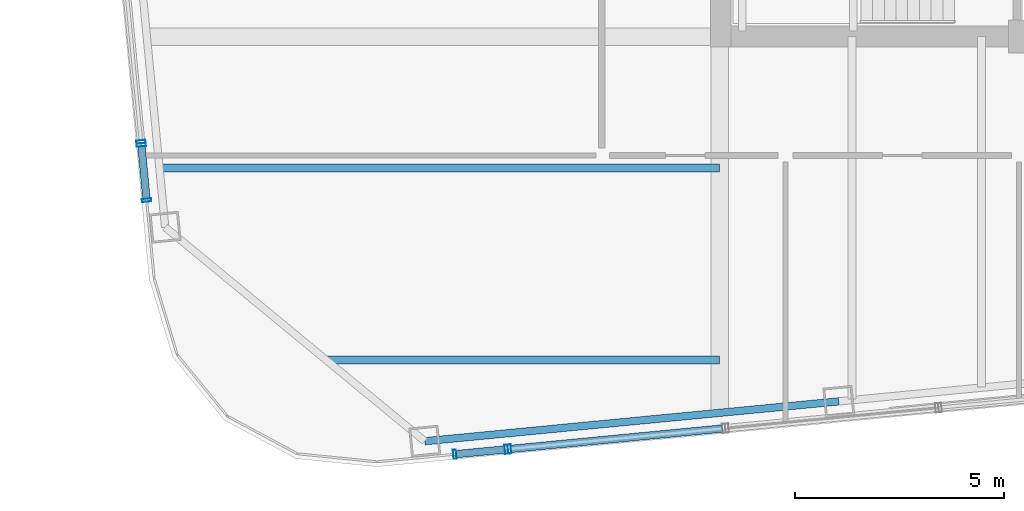
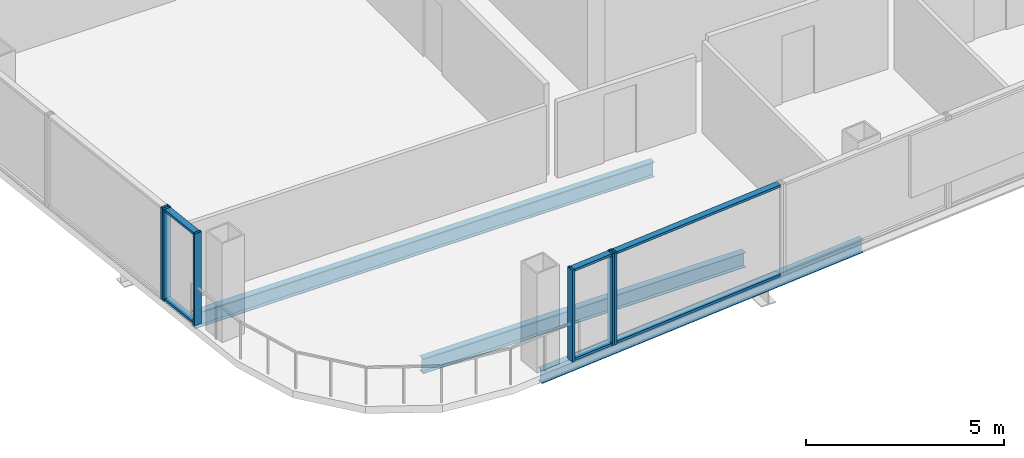
# One storey, part 2 of 22: 12 members, 3 beams, 4 elements without a shape of their own.
"""IFC4 building model written with IfcOpenShell, lengths in metres."""

from ifc_helpers import new_model, si_unit, direction, frame, origin, origin_2d, place, context, subcontext, project, spatial, hollow_rectangle, i_section, extrude, material, layer, layer_set, material_profile, profile_set, type_object, element, aggregate, save


model = new_model("IFC4")

# Units and contexts
model_context = context("Model", 3, precision=1e-05, world=origin(), true_north=direction((0.0, 1.0)))
body_context = subcontext(model_context, "Body", "Model", "MODEL_VIEW")
ifc_project = project(units=[si_unit("LENGTHUNIT", "METRE"), si_unit("AREAUNIT", "SQUARE_METRE"), si_unit("VOLUMEUNIT", "CUBIC_METRE"), si_unit("PLANEANGLEUNIT", "RADIAN"), si_unit("MASSUNIT", "GRAM", prefix="KILO")], contexts=[model_context])

# Site, building, storey
site_placement = place(None, origin())
site = spatial("IfcSite", under=ifc_project, at=site_placement, CompositionType="ELEMENT")
building_placement = place(site_placement, origin())
building = spatial("IfcBuilding", under=site, at=building_placement, Name="Qhalaya Broadcast Tower", CompositionType="ELEMENT")
storey_placement = place(building_placement, frame((0.0, 0.0, 165.300048828125)))
storey = spatial("IfcBuildingStorey", under=building, at=storey_placement, Name="L48", CompositionType="ELEMENT", Elevation=165.300048828125)

# Beams
ifc_material_1 = material(Name="Structural Steel ASTM A992 Grade 50", Category="steel")
ifc_material_profile_1 = material_profile(ifc_material_1, i_section(OverallWidth=0.19189453125, OverallDepth=0.462890625, WebThickness=0.010498046875, FlangeThickness=0.017578125, at=origin_2d()), Name="W18X60")
ifc_profile_set_1 = profile_set([ifc_material_profile_1], Name="Structural Steel ASTM A992 Grade 50")
beam_type_1 = type_object("IfcBeamType", Name="Composite Floor Joist J03", PredefinedType="JOIST", material=ifc_profile_set_1)
beam_1_placement = place(storey_placement, frame((-18.7734375, -16.5, -0.45166015625), z_axis=(1.0, 0.0, 0.0), x_axis=(0.0, 1.0, 0.0)))
element("IfcBeam", 1, at=beam_1_placement, inside=storey, type_object=beam_type_1, Name="L48 J03 L48-JWE1W-1", PredefinedType="JOIST", context=body_context, shape_type="SweptSolid", body=[
    extrude(i_section(OverallWidth=0.19189453125, OverallDepth=0.462890625, WebThickness=0.010498046875, FlangeThickness=0.017578125, at=origin_2d()), origin(), (0.0, 0.0, 1.0), 9.3984375),
])
beam_2_placement = place(storey_placement, frame((-22.77880859375, -11.89990234375, -0.45166015625), z_axis=(1.0, 0.0, 0.0), x_axis=(0.0, 1.0, 0.0)))
element("IfcBeam", 2, at=beam_2_placement, inside=storey, type_object=beam_type_1, Name="L48 J03 L48-JWE2W-1", PredefinedType="JOIST", context=body_context, shape_type="SweptSolid", body=[
    extrude(i_section(OverallWidth=0.19189453125, OverallDepth=0.462890625, WebThickness=0.010498046875, FlangeThickness=0.017578125, at=origin_2d()), origin(), (0.0, 0.0, 1.0), 13.40380859375),
])

# Curtain wall, members
ifc_material_2 = material(Name="Solar-Control Low-E Triple Glazing", Category="glass")
ifc_layer_1 = layer(ifc_material_2, 0.219970703125, Name="Solar-Control Low-E Triple Glazing")
ifc_layer_set_1 = layer_set([ifc_layer_1], Name="Solar-Control Low-E Triple Glazing")
curtain_wall_type_1 = type_object("IfcCurtainWallType", Name="Even-Block 4-Storey Double-Module Curtain Wall CW-03", PredefinedType="NOTDEFINED", material=ifc_layer_set_1)
curtain_wall_1_placement = place(storey_placement, origin())
curtain_wall_1 = element("IfcCurtainWall", 3, at=curtain_wall_1_placement, inside=storey, type_object=curtain_wall_type_1, Name="L48 Unitised Curtain Wall L48-CW-S1", PredefinedType="NOTDEFINED")
ifc_material_3 = material(Name="Anodised Aluminium 6063-T6", Category="aluminium")
ifc_material_profile_2 = material_profile(ifc_material_3, hollow_rectangle(XDim=0.074951171875, YDim=0.219970703125, WallThickness=0.00390625, at=origin_2d()), Name="ALU-MUL 75x220x4")
ifc_profile_set_2 = profile_set([ifc_material_profile_2], Name="Anodised Aluminium 6063-T6")
member_type_1 = type_object("IfcMemberType", Name="Unitised Curtain-Wall Mullion M01", PredefinedType="MULLION", material=ifc_profile_set_2)
member_1_placement = place(storey_placement, frame((-15.72119140625, -18.76025390625, 0.0), z_axis=(0.0, 0.0, 1.0), x_axis=(0.99539857312, 0.095821086563, 0.0)))
member_1 = element("IfcMember", 4, at=member_1_placement, type_object=member_type_1, Name="CW-03 mullion 1", PredefinedType="MULLION", context=body_context, shape_type="SweptSolid", body=[
    extrude(hollow_rectangle(XDim=0.074951171875, YDim=0.219970703125, WallThickness=0.00390625, at=origin_2d()), origin(), (0.0, 0.0, 1.0), 2.829833984375),
])
member_2_placement = place(storey_placement, frame((-14.48681640625, -18.641357421875, 0.0), z_axis=(0.0, 0.0, 1.0), x_axis=(0.99539857312, 0.095821086563, 0.0)))
member_2 = element("IfcMember", 5, at=member_2_placement, type_object=member_type_1, Name="CW-03 mullion 2", PredefinedType="MULLION", context=body_context, shape_type="SweptSolid", body=[
    extrude(hollow_rectangle(XDim=0.074951171875, YDim=0.219970703125, WallThickness=0.00390625, at=origin_2d()), origin(), (0.0, 0.0, 1.0), 2.829833984375),
])

# Curtain wall, member
ifc_material_4 = material(Name="Fired Architectural Terracotta", Category="masonry")
ifc_layer_2 = layer(ifc_material_4, 0.219970703125, Name="Fired Architectural Terracotta")
ifc_layer_set_2 = layer_set([ifc_layer_2], Name="Fired Architectural Terracotta")
curtain_wall_type_2 = type_object("IfcCurtainWallType", Name="Block-Cap Unitised Terracotta Spandrel Wall CW-07", PredefinedType="NOTDEFINED", material=ifc_layer_set_2)
curtain_wall_2_placement = place(storey_placement, origin())
curtain_wall_2 = element("IfcCurtainWall", 6, at=curtain_wall_2_placement, inside=storey, type_object=curtain_wall_type_2, Name="L48 Unitised Curtain Wall L48-CW-S2", PredefinedType="NOTDEFINED")
member_3_placement = place(storey_placement, frame((-14.412353515625, -18.63427734375, 0.0), z_axis=(0.0, 0.0, 1.0), x_axis=(0.995395267059, 0.095855424032, 0.0)))
member_3 = element("IfcMember", 7, at=member_3_placement, type_object=member_type_1, Name="CW-07 mullion 1", PredefinedType="MULLION", context=body_context, shape_type="SweptSolid", body=[
    extrude(hollow_rectangle(XDim=0.074951171875, YDim=0.219970703125, WallThickness=0.00390625, at=origin_2d()), origin(), (0.0, 0.0, 1.0), 2.829833984375),
])

curtain_wall_3_placement = place(storey_placement, origin())
curtain_wall_3 = element("IfcCurtainWall", 8, at=curtain_wall_3_placement, inside=storey, type_object=curtain_wall_type_2, Name="L48 Unitised Curtain Wall L48-CW-W6", PredefinedType="NOTDEFINED")
member_4_placement = place(storey_placement, frame((-23.240966796875, -11.27392578125, 0.0), z_axis=(0.0, 0.0, 1.0), x_axis=(0.095846949325, -0.995396083127, 0.0)))
member_4 = element("IfcMember", 9, at=member_4_placement, type_object=member_type_1, Name="CW-07 mullion 2", PredefinedType="MULLION", context=body_context, shape_type="SweptSolid", body=[
    extrude(hollow_rectangle(XDim=0.074951171875, YDim=0.219970703125, WallThickness=0.00390625, at=origin_2d()), origin(), (0.0, 0.0, 1.0), 2.829833984375),
])
aggregate(curtain_wall_3, [member_4])

# Curtain wall, members
curtain_wall_4_placement = place(storey_placement, origin())
curtain_wall_4 = element("IfcCurtainWall", 10, at=curtain_wall_4_placement, inside=storey, type_object=curtain_wall_type_1, Name="L48 Unitised Curtain Wall L48-CW-W7", PredefinedType="NOTDEFINED")
member_5_placement = place(storey_placement, frame((-23.233642578125, -11.3486328125, 0.0), z_axis=(0.0, 0.0, 1.0), x_axis=(0.095873796301, -0.99539349766, 0.0)))
member_5 = element("IfcMember", 11, at=member_5_placement, type_object=member_type_1, Name="CW-03 mullion 1", PredefinedType="MULLION", context=body_context, shape_type="SweptSolid", body=[
    extrude(hollow_rectangle(XDim=0.074951171875, YDim=0.219970703125, WallThickness=0.00390625, at=origin_2d()), origin(), (0.0, 0.0, 1.0), 2.829833984375),
])
member_6_placement = place(storey_placement, frame((-23.106201171875, -12.67236328125, 0.0), z_axis=(0.0, 0.0, 1.0), x_axis=(0.095873796301, -0.99539349766, 0.0)))
member_6 = element("IfcMember", 12, at=member_6_placement, type_object=member_type_1, Name="CW-03 mullion 2", PredefinedType="MULLION", context=body_context, shape_type="SweptSolid", body=[
    extrude(hollow_rectangle(XDim=0.074951171875, YDim=0.219970703125, WallThickness=0.00390625, at=origin_2d()), origin(), (0.0, 0.0, 1.0), 2.829833984375),
])

# Member
ifc_material_profile_3 = material_profile(ifc_material_3, hollow_rectangle(XDim=0.074951171875, YDim=0.179931640625, WallThickness=0.00390625, at=origin_2d()), Name="ALU-TRN 75x180x4")
ifc_profile_set_3 = profile_set([ifc_material_profile_3], Name="Anodised Aluminium 6063-T6")
member_type_2 = type_object("IfcMemberType", Name="Unitised Curtain-Wall Transom T01", PredefinedType="USERDEFINED", material=ifc_profile_set_3)
member_7_placement = place(storey_placement, frame((-15.683837890625, -18.756591796875, 0.037353515625), z_axis=(0.995403652262, 0.095768309281, 0.0), x_axis=(0.0, 0.0, 1.0)))
member_7 = element("IfcMember", 13, at=member_7_placement, type_object=member_type_2, Name="CW-03 transom 1.1", ObjectType="TRANSOM", PredefinedType="USERDEFINED", context=body_context, shape_type="SweptSolid", body=[
    extrude(hollow_rectangle(XDim=0.074951171875, YDim=0.179931640625, WallThickness=0.00390625, at=origin_2d()), origin(), (0.0, 0.0, 1.0), 1.1650390625),
])

member_8_placement = place(storey_placement, frame((-15.683837890625, -18.756591796875, 2.79248046875), z_axis=(0.995403652262, 0.095768309281, 0.0), x_axis=(0.0, 0.0, 1.0)))
member_8 = element("IfcMember", 14, at=member_8_placement, type_object=member_type_2, Name="CW-03 transom 1.2", ObjectType="TRANSOM", PredefinedType="USERDEFINED", context=body_context, shape_type="SweptSolid", body=[
    extrude(hollow_rectangle(XDim=0.074951171875, YDim=0.179931640625, WallThickness=0.00390625, at=origin_2d()), origin(), (0.0, 0.0, 1.0), 1.1650390625),
])

aggregate(curtain_wall_1, [member_1, member_2, member_7, member_8])

member_9_placement = place(storey_placement, frame((-14.375, -18.630615234375, 0.037353515625), z_axis=(0.995395035066, 0.095857833102, 0.0), x_axis=(0.0, 0.0, 1.0)))
member_9 = element("IfcMember", 15, at=member_9_placement, type_object=member_type_2, Name="CW-07 transom 1.1", ObjectType="TRANSOM", PredefinedType="USERDEFINED", context=body_context, shape_type="SweptSolid", body=[
    extrude(hollow_rectangle(XDim=0.074951171875, YDim=0.179931640625, WallThickness=0.00390625, at=origin_2d()), origin(), (0.0, 0.0, 1.0), 5.086181640625),
])

member_10_placement = place(storey_placement, frame((-14.375, -18.630615234375, 2.79248046875), z_axis=(0.995395035066, 0.095857833102, 0.0), x_axis=(0.0, 0.0, 1.0)))
member_10 = element("IfcMember", 16, at=member_10_placement, type_object=member_type_2, Name="CW-07 transom 1.2", ObjectType="TRANSOM", PredefinedType="USERDEFINED", context=body_context, shape_type="SweptSolid", body=[
    extrude(hollow_rectangle(XDim=0.074951171875, YDim=0.179931640625, WallThickness=0.00390625, at=origin_2d()), origin(), (0.0, 0.0, 1.0), 5.086181640625),
])

aggregate(curtain_wall_2, [member_3, member_9, member_10])

member_11_placement = place(storey_placement, frame((-23.230224609375, -11.385986328125, 0.037353515625), z_axis=(0.095901442522, -0.995390834458, 0.0), x_axis=(0.0, 0.0, 1.0)))
member_11 = element("IfcMember", 17, at=member_11_placement, type_object=member_type_2, Name="CW-03 transom 1.1", ObjectType="TRANSOM", PredefinedType="USERDEFINED", context=body_context, shape_type="SweptSolid", body=[
    extrude(hollow_rectangle(XDim=0.074951171875, YDim=0.179931640625, WallThickness=0.00390625, at=origin_2d()), origin(), (0.0, 0.0, 1.0), 1.255126953125),
])

member_12_placement = place(storey_placement, frame((-23.230224609375, -11.385986328125, 2.79248046875), z_axis=(0.095901442522, -0.995390834458, 0.0), x_axis=(0.0, 0.0, 1.0)))
member_12 = element("IfcMember", 18, at=member_12_placement, type_object=member_type_2, Name="CW-03 transom 1.2", ObjectType="TRANSOM", PredefinedType="USERDEFINED", context=body_context, shape_type="SweptSolid", body=[
    extrude(hollow_rectangle(XDim=0.074951171875, YDim=0.179931640625, WallThickness=0.00390625, at=origin_2d()), origin(), (0.0, 0.0, 1.0), 1.255126953125),
])

aggregate(curtain_wall_4, [member_5, member_6, member_11, member_12])

# Beam
ifc_material_profile_4 = material_profile(ifc_material_1, i_section(OverallWidth=0.177978515625, OverallDepth=0.406005859375, WebThickness=0.0078125, FlangeThickness=0.0126953125, at=origin_2d()), Name="W16X40")
ifc_profile_set_4 = profile_set([ifc_material_profile_4], Name="Structural Steel ASTM A992 Grade 50")
beam_type_2 = type_object("IfcBeamType", Name="Upper Perimeter Spandrel Beam SP2", PredefinedType="SPANDREL", material=ifc_profile_set_4)
beam_3_placement = place(storey_placement, frame((-16.44189453125, -18.44775390625, -0.423095703125), z_axis=(0.995397846936, 0.09582862993, 0.0), x_axis=(-0.09582862993, 0.995397846936, 0.0)))
element("IfcBeam", 19, at=beam_3_placement, inside=storey, type_object=beam_type_2, Name="L48 SP2 L48-SPR-01", PredefinedType="SPANDREL", context=body_context, shape_type="SweptSolid", body=[
    extrude(i_section(OverallWidth=0.177978515625, OverallDepth=0.406005859375, WebThickness=0.0078125, FlangeThickness=0.0126953125, at=origin_2d()), origin(), (0.0, 0.0, 1.0), 9.966552734375),
])

save(model, "model.ifc")
